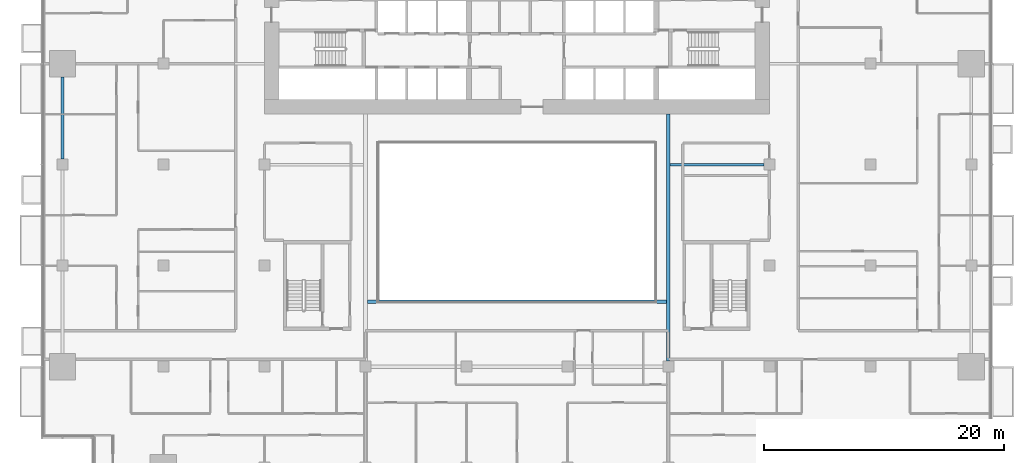
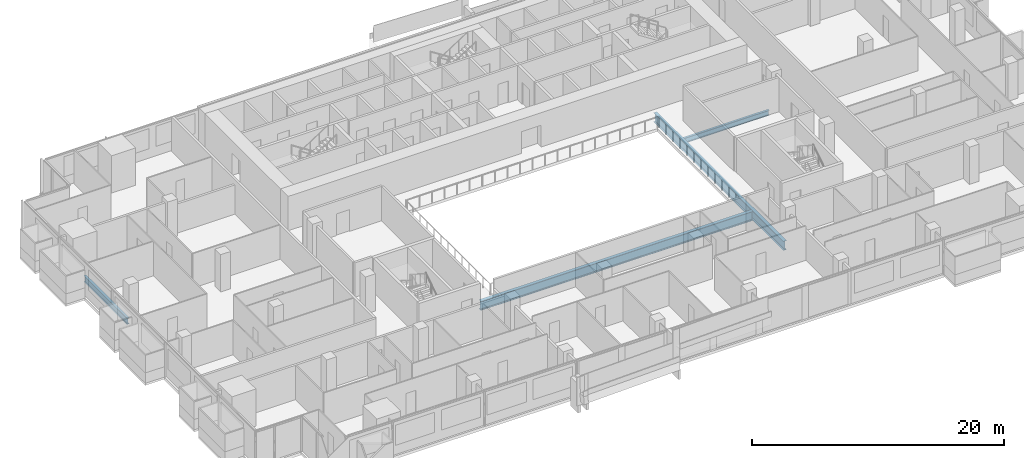
# One storey, part 7 of 27: 4 beams.
"""IFC4 building model written with IfcOpenShell, lengths in metres."""

from ifc_helpers import new_model, si_unit, direction, frame, origin, origin_2d, place, context, subcontext, project, spatial, i_section, extrude, material, material_profile, profile_set, type_object, element, save


model = new_model("IFC4")

# Units and contexts
model_context = context("Model", 3, precision=1e-05, world=origin(), true_north=direction((0.0, 1.0)))
body_context = subcontext(model_context, "Body", "Model", "MODEL_VIEW")
ifc_project = project(units=[si_unit("LENGTHUNIT", "METRE"), si_unit("AREAUNIT", "SQUARE_METRE"), si_unit("VOLUMEUNIT", "CUBIC_METRE"), si_unit("PLANEANGLEUNIT", "RADIAN"), si_unit("MASSUNIT", "GRAM", prefix="KILO")], contexts=[model_context])

# Site, building, storey
site_placement = place(None, origin())
site = spatial("IfcSite", under=ifc_project, at=site_placement, CompositionType="ELEMENT")
building_placement = place(site_placement, origin())
building = spatial("IfcBuilding", under=site, at=building_placement, Name="Saffron Gate Tower", CompositionType="ELEMENT")
storey_placement = place(building_placement, frame((0.0, 0.0, 40.800048828125)))
storey = spatial("IfcBuildingStorey", under=building, at=storey_placement, Name="L08", CompositionType="ELEMENT", Elevation=40.800048828125)

# Beams
ifc_material = material(Name="Structural steel S355", Category="steel")
ifc_material_profile_1 = material_profile(ifc_material, i_section(OverallWidth=0.199951171875, OverallDepth=0.5, WebThickness=0.01025390625, FlangeThickness=0.01611328125, FilletRadius=0.02099609375, at=origin_2d()))
ifc_profile_set_1 = profile_set([ifc_material_profile_1], Name="Structural steel S355")
beam_type_1 = type_object("IfcBeamType", Name="B10 IPE 500", PredefinedType="BEAM", material=ifc_profile_set_1)
beam_1_placement = place(storey_placement, frame((108.14990234375, 57.0, -0.530029296875), z_axis=(-1.0, 0.0, 0.0), x_axis=(0.0, -1.0, 0.0)))
element("IfcBeam", 1, at=beam_1_placement, inside=storey, type_object=beam_type_1, Name="B10 CORE TIE BEAM", PredefinedType="BEAM", context=body_context, shape_type="SweptSolid", body=[
    extrude(i_section(OverallWidth=0.199951171875, OverallDepth=0.5, WebThickness=0.01025390625, FlangeThickness=0.01611328125, FilletRadius=0.02099609375, at=origin_2d()), origin(), (0.0, 0.0, 1.0), 7.7998046875),
])
ifc_material_profile_2 = material_profile(ifc_material, i_section(OverallWidth=0.219970703125, OverallDepth=0.60009765625, WebThickness=0.011962890625, FlangeThickness=0.01904296875, FilletRadius=0.02392578125, at=origin_2d()))
ifc_profile_set_2 = profile_set([ifc_material_profile_2], Name="Structural steel S355")
beam_type_2 = type_object("IfcBeamType", Name="B16 IPE 600", PredefinedType="SPANDREL", material=ifc_profile_set_2)
beam_2_placement = place(storey_placement, frame((49.800048828125, 57.449951171875, -0.580078125), z_axis=(0.0, 1.0, 0.0), x_axis=(-1.0, 0.0, 0.0)))
element("IfcBeam", 2, at=beam_2_placement, inside=storey, type_object=beam_type_2, Name="B16 SPANDREL BEAM", PredefinedType="SPANDREL", context=body_context, shape_type="SweptSolid", body=[
    extrude(i_section(OverallWidth=0.219970703125, OverallDepth=0.60009765625, WebThickness=0.011962890625, FlangeThickness=0.01904296875, FilletRadius=0.02392578125, at=origin_2d()), origin(), (0.0, 0.0, 1.0), 6.85009765625),
])
ifc_material_profile_3 = material_profile(ifc_material, i_section(OverallWidth=0.300048828125, OverallDepth=0.889892578125, WebThickness=0.01611328125, FlangeThickness=0.030029296875, FilletRadius=0.030029296875, at=origin_2d()))
ifc_profile_set_3 = profile_set([ifc_material_profile_3], Name="Structural steel S355")
beam_type_3 = type_object("IfcBeamType", Name="B19 HEA 900", PredefinedType="BEAM", material=ifc_profile_set_3)
beam_3_placement = place(storey_placement, frame((100.199951171875, 40.64990234375, -0.72509765625), z_axis=(0.0, 1.0, 0.0), x_axis=(-1.0, 0.0, 0.0)))
element("IfcBeam", 3, at=beam_3_placement, inside=storey, type_object=beam_type_3, Name="B19 ATRIUM GIRDER", PredefinedType="BEAM", context=body_context, shape_type="SweptSolid", body=[
    extrude(i_section(OverallWidth=0.300048828125, OverallDepth=0.889892578125, WebThickness=0.01611328125, FlangeThickness=0.030029296875, FilletRadius=0.030029296875, at=origin_2d()), origin(), (0.0, 0.0, 1.0), 20.550048828125),
])
beam_4_placement = place(storey_placement, frame((75.14990234375, 45.60009765625, -0.72509765625), z_axis=(1.0, 0.0, 0.0), x_axis=(0.0, 1.0, 0.0)))
element("IfcBeam", 4, at=beam_4_placement, inside=storey, type_object=beam_type_3, Name="B19 ATRIUM GIRDER", PredefinedType="BEAM", context=body_context, shape_type="SweptSolid", body=[
    extrude(i_section(OverallWidth=0.300048828125, OverallDepth=0.889892578125, WebThickness=0.01611328125, FlangeThickness=0.030029296875, FilletRadius=0.030029296875, at=origin_2d()), origin(), (0.0, 0.0, 1.0), 24.900146484375),
])

save(model, "model.ifc")
